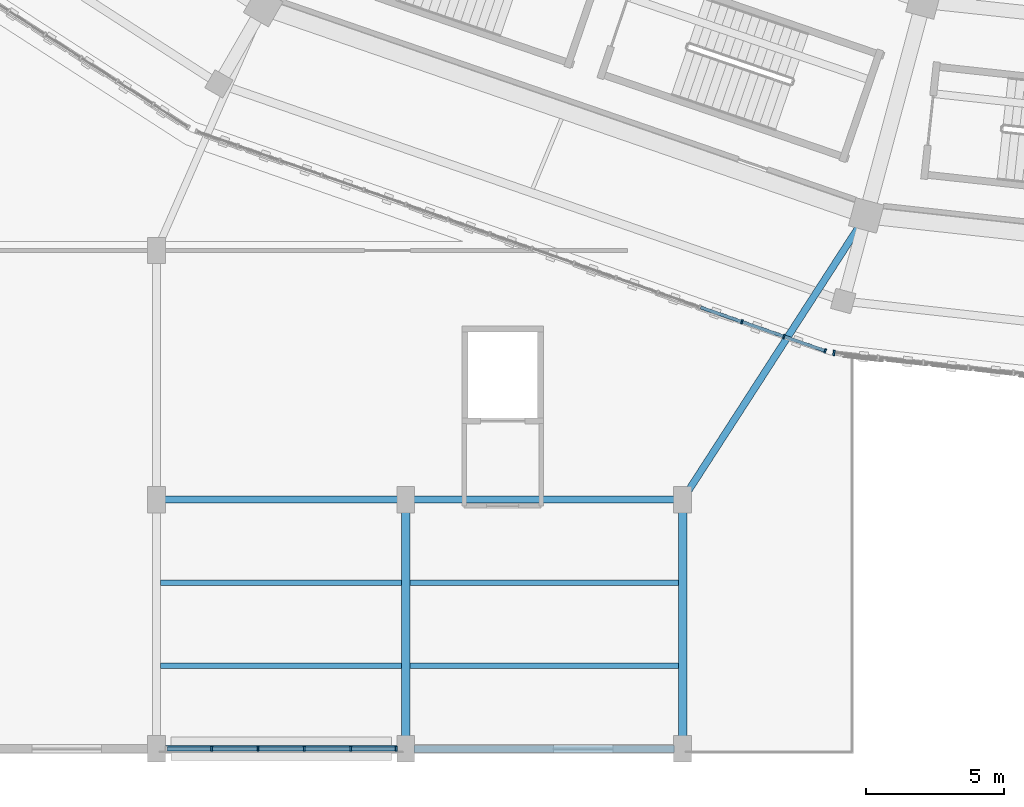
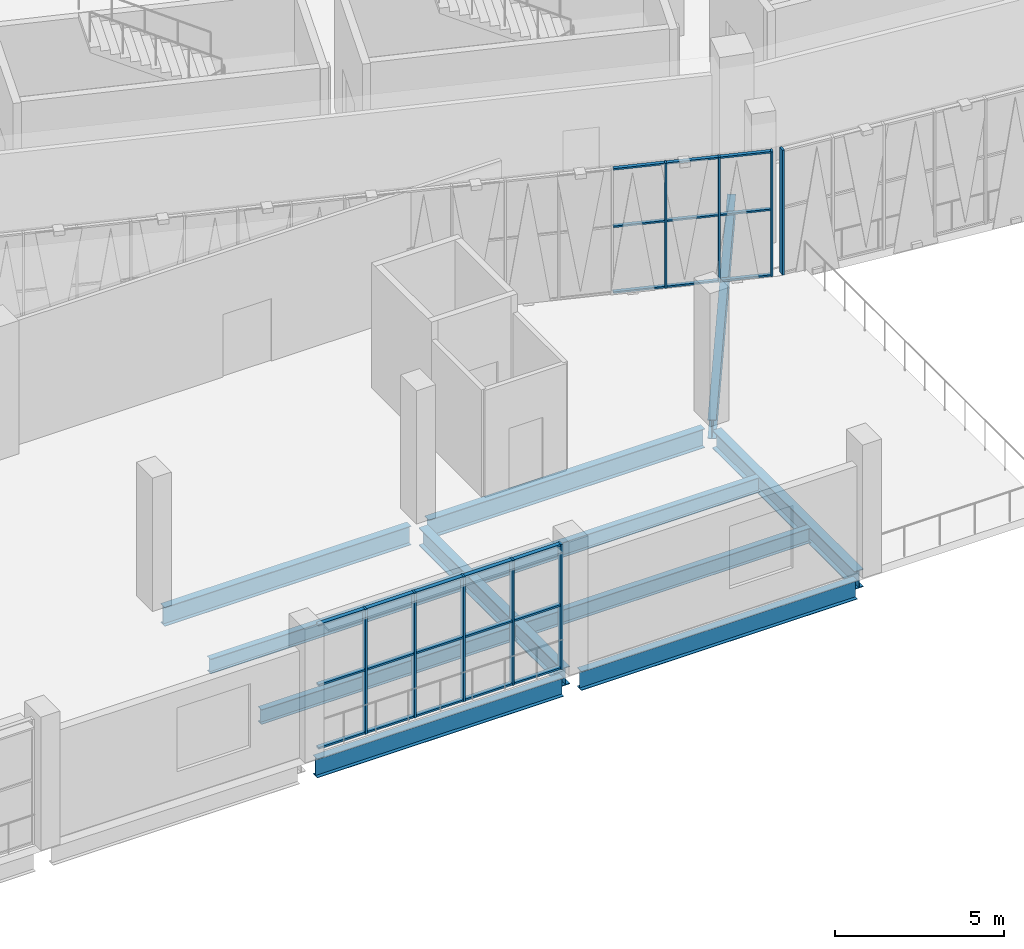
# One storey, part 13 of 179: 33 members, 11 beams, 3 elements without a shape of their own.
"""IFC4 building model written with IfcOpenShell, lengths in metres."""

from ifc_helpers import new_model, si_unit, direction, frame, origin, origin_2d, place, context, subcontext, project, spatial, rectangle, i_section, extrude, material, material_profile, profile_set, type_object, element, aggregate, save


model = new_model("IFC4")

# Units and contexts
model_context = context("Model", 3, precision=1e-05, world=origin(), true_north=direction((0.0, 1.0)))
body_context = subcontext(model_context, "Body", "Model", "MODEL_VIEW")
ifc_project = project(units=[si_unit("LENGTHUNIT", "METRE"), si_unit("AREAUNIT", "SQUARE_METRE"), si_unit("VOLUMEUNIT", "CUBIC_METRE"), si_unit("PLANEANGLEUNIT", "RADIAN"), si_unit("MASSUNIT", "GRAM", prefix="KILO")], contexts=[model_context])

# Site, building, storey
site_placement = place(None, origin())
site = spatial("IfcSite", under=ifc_project, at=site_placement, CompositionType="ELEMENT")
building_placement = place(site_placement, origin())
building = spatial("IfcBuilding", under=site, at=building_placement, Name="Zevraka Park Crest Stadium", CompositionType="ELEMENT")
storey_placement = place(building_placement, frame((0.0, 0.0, 10.199951171875)))
storey = spatial("IfcBuildingStorey", under=building, at=storey_placement, Name="L02", CompositionType="ELEMENT", Elevation=10.199951171875)

# Beams
ifc_material_1 = material(Name="Steel S355", Category="steel")
ifc_material_profile_1 = material_profile(ifc_material_1, i_section(OverallWidth=0.253662109375, OverallDepth=0.68359375, WebThickness=0.012451171875, FlangeThickness=0.01904296875, at=origin_2d()), Name="UKB 686x254x140")
ifc_profile_set_1 = profile_set([ifc_material_profile_1], Name="Steel S355")
beam_type_1 = type_object("IfcBeamType", Name="BG05", PredefinedType="BEAM", material=ifc_profile_set_1)
for number, where, z_axis, x_axis, name in (
    (1, (63.300048828125, 0.0, -0.629638671875), (1.0, 0.0, 0.0), (0.0, 1.0, 0.0), "Wing Girder BG05 L02-89/A"),
    (2, (63.300048828125, 9.0, -0.629638671875), (1.0, 0.0, 0.0), (0.0, 1.0, 0.0), "Wing Girder BG05 L02-89/B"),
):
    element("IfcBeam", number, at=place(storey_placement, frame(where, z_axis=z_axis, x_axis=x_axis)), inside=storey, type_object=beam_type_1, Name=name, PredefinedType="BEAM", context=body_context, shape_type="SweptSolid", body=[
        extrude(i_section(OverallWidth=0.253662109375, OverallDepth=0.68359375, WebThickness=0.012451171875, FlangeThickness=0.01904296875, at=origin_2d()), origin(), (0.0, 0.0, 1.0), 8.39990234375),
    ])
for number, where, z_axis, x_axis, name in (
    (3, (72.300048828125, 0.0, -0.629638671875), (1.0, 0.0, 0.0), (0.0, 1.0, 0.0), "Wing Girder BG05 L02-910/A"),
    (4, (72.300048828125, 9.0, -0.629638671875), (1.0, 0.0, 0.0), (0.0, 1.0, 0.0), "Wing Girder BG05 L02-910/B"),
):
    element("IfcBeam", number, at=place(storey_placement, frame(where, z_axis=z_axis, x_axis=x_axis)), inside=storey, type_object=beam_type_1, Name=name, PredefinedType="BEAM", context=body_context, shape_type="SweptSolid", body=[
        extrude(i_section(OverallWidth=0.253662109375, OverallDepth=0.68359375, WebThickness=0.012451171875, FlangeThickness=0.01904296875, at=origin_2d()), origin(), (0.0, 0.0, 1.0), 9.39990234375),
    ])
beam_placement = place(storey_placement, frame((82.10791015625, 9.16796875, -0.629638671875), z_axis=(0.542497990174, 0.840057099641, 0.0), x_axis=(-0.840057099641, 0.542497990174, 0.0)))
element("IfcBeam", 5, at=beam_placement, inside=storey, type_object=beam_type_1, Name="Wing Link Girder BG05 L02-10/B", PredefinedType="BEAM", context=body_context, shape_type="SweptSolid", body=[
    extrude(i_section(OverallWidth=0.253662109375, OverallDepth=0.68359375, WebThickness=0.012451171875, FlangeThickness=0.01904296875, at=origin_2d()), origin(), (0.0, 0.0, 1.0), 11.640869140625),
])
ifc_material_2 = material(Name="Steel S355", Category="steel")
ifc_material_profile_2 = material_profile(ifc_material_2, i_section(OverallWidth=0.300048828125, OverallDepth=0.64990234375, WebThickness=0.01611328125, FlangeThickness=0.031005859375, at=origin_2d()), Name="HEB 650")
ifc_profile_set_2 = profile_set([ifc_material_profile_2], Name="Steel S355")
beam_type_2 = type_object("IfcBeamType", Name="BG07", PredefinedType="BEAM", material=ifc_profile_set_2)
for number, where, z_axis, x_axis, name in (
    (6, (72.0, 0.300048828125, -0.613037109375), (0.0, 1.0, 0.0), (-1.0, 0.0, 0.0), "Wing Girder BG07 L02-9/AB"),
    (7, (82.0, 0.300048828125, -0.613037109375), (0.0, 1.0, 0.0), (-1.0, 0.0, 0.0), "Wing Girder BG07 L02-10/AB"),
):
    element("IfcBeam", number, at=place(storey_placement, frame(where, z_axis=z_axis, x_axis=x_axis)), inside=storey, type_object=beam_type_2, Name=name, PredefinedType="BEAM", context=body_context, shape_type="SweptSolid", body=[
        extrude(i_section(OverallWidth=0.300048828125, OverallDepth=0.64990234375, WebThickness=0.01611328125, FlangeThickness=0.031005859375, at=origin_2d()), origin(), (0.0, 0.0, 1.0), 8.39990234375),
    ])

# Curtain wall, members
ifc_material_3 = material(Name="Anodised architectural aluminium and laminated safety glass", Category="aluminium")
curtain_wall_type_1 = type_object("IfcCurtainWallType", Name="CW07", PredefinedType="NOTDEFINED", material=ifc_material_3)
curtain_wall_1_placement = place(storey_placement, origin())
curtain_wall_1 = element("IfcCurtainWall", 8, at=curtain_wall_1_placement, inside=storey, type_object=curtain_wall_type_1, Name="Unitised Ring Curtain Wall CW07 L02-16", PredefinedType="NOTDEFINED")
ifc_material_4 = material(Name="Anodised architectural aluminium", Category="aluminium")
ifc_material_profile_3 = material_profile(ifc_material_4, rectangle(XDim=0.159912109375, YDim=0.06005859375, at=origin_2d()), Name="ALU MULLION 160x60")
ifc_profile_set_3 = profile_set([ifc_material_profile_3], Name="Anodised architectural aluminium")
member_type_1 = type_object("IfcMemberType", Name="CM01", PredefinedType="MULLION", material=ifc_profile_set_3)
member_1_placement = place(storey_placement, frame((84.141357421875, 15.4248046875, 0.0), z_axis=(0.0, 0.0, 1.0), x_axis=(0.329618886002, 0.944114076789, 0.0)))
member_1 = element("IfcMember", 9, at=member_1_placement, type_object=member_type_1, Name="CW07 mullion 14", PredefinedType="MULLION", context=body_context, shape_type="SweptSolid", body=[
    extrude(rectangle(XDim=0.159912109375, YDim=0.06005859375, at=origin_2d()), origin(), (0.0, 0.0, 1.0), 4.5),
])
member_2_placement = place(storey_placement, frame((85.6591796875, 14.89501953125, 0.0), z_axis=(0.0, 0.0, 1.0), x_axis=(0.329618886002, 0.944114076789, 0.0)))
member_2 = element("IfcMember", 10, at=member_2_placement, type_object=member_type_1, Name="CW07 mullion 15", PredefinedType="MULLION", context=body_context, shape_type="SweptSolid", body=[
    extrude(rectangle(XDim=0.159912109375, YDim=0.06005859375, at=origin_2d()), origin(), (0.0, 0.0, 1.0), 4.5),
])
member_3_placement = place(storey_placement, frame((87.148681640625, 14.375, 0.0), z_axis=(0.0, 0.0, 1.0), x_axis=(0.329618886002, 0.944114076789, 0.0)))
member_3 = element("IfcMember", 11, at=member_3_placement, type_object=member_type_1, Name="CW07 mullion 16", PredefinedType="MULLION", context=body_context, shape_type="SweptSolid", body=[
    extrude(rectangle(XDim=0.159912109375, YDim=0.06005859375, at=origin_2d()), origin(), (0.0, 0.0, 1.0), 4.5),
])

ifc_material_5 = material(Name="Anodised architectural aluminium and laminated safety glass", Category="aluminium")
curtain_wall_type_2 = type_object("IfcCurtainWallType", Name="CW29", PredefinedType="NOTDEFINED", material=ifc_material_5)
curtain_wall_2_placement = place(storey_placement, origin())
curtain_wall_2 = element("IfcCurtainWall", 12, at=curtain_wall_2_placement, inside=storey, type_object=curtain_wall_type_2, Name="Wing Curtain Wall CW29 L02-SW-S1-2", PredefinedType="NOTDEFINED")
ifc_material_6 = material(Name="Anodised architectural aluminium", Category="aluminium")
ifc_material_profile_4 = material_profile(ifc_material_6, rectangle(XDim=0.179931640625, YDim=0.06494140625, at=origin_2d()), Name="ALU MULLION 180x65")
ifc_profile_set_4 = profile_set([ifc_material_profile_4], Name="Anodised architectural aluminium")
member_type_2 = type_object("IfcMemberType", Name="CM02", PredefinedType="MULLION", material=ifc_profile_set_4)
member_4_placement = place(storey_placement, frame((71.652587890625, 0.0, 0.0), z_axis=(0.0, 0.0, 1.0), x_axis=(0.0, -1.0, 0.0)))
member_4 = element("IfcMember", 13, at=member_4_placement, type_object=member_type_2, Name="CW29 mullion 1", PredefinedType="MULLION", context=body_context, shape_type="SweptSolid", body=[
    extrude(rectangle(XDim=0.179931640625, YDim=0.06494140625, at=origin_2d()), origin(), (0.0, 0.0, 1.0), 4.5),
])
member_5_placement = place(storey_placement, frame((70.010986328125, 0.0, 0.0), z_axis=(0.0, 0.0, 1.0), x_axis=(0.0, -1.0, 0.0)))
member_5 = element("IfcMember", 14, at=member_5_placement, type_object=member_type_2, Name="CW29 mullion 2", PredefinedType="MULLION", context=body_context, shape_type="SweptSolid", body=[
    extrude(rectangle(XDim=0.179931640625, YDim=0.06494140625, at=origin_2d()), origin(), (0.0, 0.0, 1.0), 4.5),
])
member_6_placement = place(storey_placement, frame((68.3369140625, 0.0, 0.0), z_axis=(0.0, 0.0, 1.0), x_axis=(0.0, -1.0, 0.0)))
member_6 = element("IfcMember", 15, at=member_6_placement, type_object=member_type_2, Name="CW29 mullion 3", PredefinedType="MULLION", context=body_context, shape_type="SweptSolid", body=[
    extrude(rectangle(XDim=0.179931640625, YDim=0.06494140625, at=origin_2d()), origin(), (0.0, 0.0, 1.0), 4.5),
])
member_7_placement = place(storey_placement, frame((66.6630859375, 0.0, 0.0), z_axis=(0.0, 0.0, 1.0), x_axis=(0.0, -1.0, 0.0)))
member_7 = element("IfcMember", 16, at=member_7_placement, type_object=member_type_2, Name="CW29 mullion 4", PredefinedType="MULLION", context=body_context, shape_type="SweptSolid", body=[
    extrude(rectangle(XDim=0.179931640625, YDim=0.06494140625, at=origin_2d()), origin(), (0.0, 0.0, 1.0), 4.5),
])
member_8_placement = place(storey_placement, frame((64.989013671875, 0.0, 0.0), z_axis=(0.0, 0.0, 1.0), x_axis=(0.0, -1.0, 0.0)))
member_8 = element("IfcMember", 17, at=member_8_placement, type_object=member_type_2, Name="CW29 mullion 5", PredefinedType="MULLION", context=body_context, shape_type="SweptSolid", body=[
    extrude(rectangle(XDim=0.179931640625, YDim=0.06494140625, at=origin_2d()), origin(), (0.0, 0.0, 1.0), 4.5),
])

# Curtain wall, member
ifc_material_7 = material(Name="Anodised architectural aluminium and laminated safety glass", Category="aluminium")
curtain_wall_type_3 = type_object("IfcCurtainWallType", Name="CW06", PredefinedType="NOTDEFINED", material=ifc_material_7)
curtain_wall_3_placement = place(storey_placement, origin())
curtain_wall_3 = element("IfcCurtainWall", 18, at=curtain_wall_3_placement, inside=storey, type_object=curtain_wall_type_3, Name="Unitised Ring Curtain Wall CW06 L02-17", PredefinedType="NOTDEFINED")
ifc_material_8 = material(Name="Anodised architectural aluminium", Category="aluminium")
ifc_material_profile_5 = material_profile(ifc_material_8, rectangle(XDim=0.199951171875, YDim=0.070068359375, at=origin_2d()), Name="ALU MULLION 200x70")
ifc_profile_set_5 = profile_set([ifc_material_profile_5], Name="Anodised architectural aluminium")
member_type_3 = type_object("IfcMemberType", Name="CM03", PredefinedType="MULLION", material=ifc_profile_set_5)
member_9_placement = place(storey_placement, frame((87.4658203125, 14.30322265625, 0.0), z_axis=(0.0, 0.0, 1.0), x_axis=(0.110293152687, 0.993899099743, 0.0)))
member_9 = element("IfcMember", 19, at=member_9_placement, type_object=member_type_3, Name="CW06 mullion 1", PredefinedType="MULLION", context=body_context, shape_type="SweptSolid", body=[
    extrude(rectangle(XDim=0.199951171875, YDim=0.070068359375, at=origin_2d()), origin(), (0.0, 0.0, 1.0), 4.5),
])
aggregate(curtain_wall_3, [member_9])

# Member
ifc_material_9 = material(Name="Anodised architectural aluminium", Category="aluminium")
ifc_material_profile_6 = material_profile(ifc_material_9, rectangle(XDim=0.1201171875, YDim=0.06005859375, at=origin_2d()), Name="ALU TRANSOM 120x60")
ifc_profile_set_6 = profile_set([ifc_material_profile_6], Name="Anodised architectural aluminium")
member_type_4 = type_object("IfcMemberType", Name="CT01", PredefinedType="USERDEFINED", material=ifc_profile_set_6)
member_10_placement = place(storey_placement, frame((82.651611328125, 15.94482421875, 0.030029296875), z_axis=(0.944157965945, -0.329493149158, 0.0), x_axis=(0.329493149158, 0.944157965945, 0.0)))
member_10 = element("IfcMember", 20, at=member_10_placement, type_object=member_type_4, Name="CW07 transom 13.1", ObjectType="TRANSOM", PredefinedType="USERDEFINED", context=body_context, shape_type="SweptSolid", body=[
    extrude(rectangle(XDim=0.1201171875, YDim=0.06005859375, at=origin_2d()), origin(), (0.0, 0.0, 1.0), 1.5478515625),
])

member_11_placement = place(storey_placement, frame((82.651611328125, 15.94482421875, 2.400146484375), z_axis=(0.944157965945, -0.329493149158, 0.0), x_axis=(0.329493149158, 0.944157965945, 0.0)))
member_11 = element("IfcMember", 21, at=member_11_placement, type_object=member_type_4, Name="CW07 transom 13.2", ObjectType="TRANSOM", PredefinedType="USERDEFINED", context=body_context, shape_type="SweptSolid", body=[
    extrude(rectangle(XDim=0.1201171875, YDim=0.06005859375, at=origin_2d()), origin(), (0.0, 0.0, 1.0), 1.5478515625),
])

member_12_placement = place(storey_placement, frame((82.651611328125, 15.94482421875, 4.469970703125), z_axis=(0.944157965945, -0.329493149158, 0.0), x_axis=(0.329493149158, 0.944157965945, 0.0)))
member_12 = element("IfcMember", 22, at=member_12_placement, type_object=member_type_4, Name="CW07 transom 13.3", ObjectType="TRANSOM", PredefinedType="USERDEFINED", context=body_context, shape_type="SweptSolid", body=[
    extrude(rectangle(XDim=0.1201171875, YDim=0.06005859375, at=origin_2d()), origin(), (0.0, 0.0, 1.0), 1.5478515625),
])

member_13_placement = place(storey_placement, frame((84.169677734375, 15.4150390625, 0.030029296875), z_axis=(0.944091748578, -0.329682832837, 0.0), x_axis=(0.329682832837, 0.944091748578, 0.0)))
member_13 = element("IfcMember", 23, at=member_13_placement, type_object=member_type_4, Name="CW07 transom 14.1", ObjectType="TRANSOM", PredefinedType="USERDEFINED", context=body_context, shape_type="SweptSolid", body=[
    extrude(rectangle(XDim=0.1201171875, YDim=0.06005859375, at=origin_2d()), origin(), (0.0, 0.0, 1.0), 1.547607421875),
])

member_14_placement = place(storey_placement, frame((84.169677734375, 15.4150390625, 2.400146484375), z_axis=(0.944091748578, -0.329682832837, 0.0), x_axis=(0.329682832837, 0.944091748578, 0.0)))
member_14 = element("IfcMember", 24, at=member_14_placement, type_object=member_type_4, Name="CW07 transom 14.2", ObjectType="TRANSOM", PredefinedType="USERDEFINED", context=body_context, shape_type="SweptSolid", body=[
    extrude(rectangle(XDim=0.1201171875, YDim=0.06005859375, at=origin_2d()), origin(), (0.0, 0.0, 1.0), 1.547607421875),
])

member_15_placement = place(storey_placement, frame((84.169677734375, 15.4150390625, 4.469970703125), z_axis=(0.944091748578, -0.329682832837, 0.0), x_axis=(0.329682832837, 0.944091748578, 0.0)))
member_15 = element("IfcMember", 25, at=member_15_placement, type_object=member_type_4, Name="CW07 transom 14.3", ObjectType="TRANSOM", PredefinedType="USERDEFINED", context=body_context, shape_type="SweptSolid", body=[
    extrude(rectangle(XDim=0.1201171875, YDim=0.06005859375, at=origin_2d()), origin(), (0.0, 0.0, 1.0), 1.547607421875),
])

member_16_placement = place(storey_placement, frame((85.6875, 14.885009765625, 0.030029296875), z_axis=(0.944116383241, -0.329612279649, 0.0), x_axis=(0.329612279649, 0.944116383241, 0.0)))
member_16 = element("IfcMember", 26, at=member_16_placement, type_object=member_type_4, Name="CW07 transom 15.1", ObjectType="TRANSOM", PredefinedType="USERDEFINED", context=body_context, shape_type="SweptSolid", body=[
    extrude(rectangle(XDim=0.1201171875, YDim=0.06005859375, at=origin_2d()), origin(), (0.0, 0.0, 1.0), 1.517578125),
])

member_17_placement = place(storey_placement, frame((85.6875, 14.885009765625, 2.400146484375), z_axis=(0.944116383241, -0.329612279649, 0.0), x_axis=(0.329612279649, 0.944116383241, 0.0)))
member_17 = element("IfcMember", 27, at=member_17_placement, type_object=member_type_4, Name="CW07 transom 15.2", ObjectType="TRANSOM", PredefinedType="USERDEFINED", context=body_context, shape_type="SweptSolid", body=[
    extrude(rectangle(XDim=0.1201171875, YDim=0.06005859375, at=origin_2d()), origin(), (0.0, 0.0, 1.0), 1.517578125),
])

member_18_placement = place(storey_placement, frame((85.6875, 14.885009765625, 4.469970703125), z_axis=(0.944116383241, -0.329612279649, 0.0), x_axis=(0.329612279649, 0.944116383241, 0.0)))
member_18 = element("IfcMember", 28, at=member_18_placement, type_object=member_type_4, Name="CW07 transom 15.3", ObjectType="TRANSOM", PredefinedType="USERDEFINED", context=body_context, shape_type="SweptSolid", body=[
    extrude(rectangle(XDim=0.1201171875, YDim=0.06005859375, at=origin_2d()), origin(), (0.0, 0.0, 1.0), 1.517578125),
])

aggregate(curtain_wall_1, [member_1, member_2, member_3, member_10, member_11, member_12, member_13, member_14, member_15, member_16, member_17, member_18])

ifc_material_10 = material(Name="Anodised architectural aluminium", Category="aluminium")
ifc_material_profile_7 = material_profile(ifc_material_10, rectangle(XDim=0.139892578125, YDim=0.06494140625, at=origin_2d()), Name="ALU TRANSOM 140x65")
ifc_profile_set_7 = profile_set([ifc_material_profile_7], Name="Anodised architectural aluminium")
member_type_5 = type_object("IfcMemberType", Name="CT02", PredefinedType="USERDEFINED", material=ifc_profile_set_7)
member_19_placement = place(storey_placement, frame((71.6201171875, 0.0, 0.032470703125), z_axis=(-1.0, 0.0, 0.0), x_axis=(0.0, -1.0, 0.0)))
member_19 = element("IfcMember", 29, at=member_19_placement, type_object=member_type_5, Name="CW29 transom 1.1", ObjectType="TRANSOM", PredefinedType="USERDEFINED", context=body_context, shape_type="SweptSolid", body=[
    extrude(rectangle(XDim=0.139892578125, YDim=0.06494140625, at=origin_2d()), origin(), (0.0, 0.0, 1.0), 1.57666015625),
])

member_20_placement = place(storey_placement, frame((71.6201171875, 0.0, 2.300048828125), z_axis=(-1.0, 0.0, 0.0), x_axis=(0.0, -1.0, 0.0)))
member_20 = element("IfcMember", 30, at=member_20_placement, type_object=member_type_5, Name="CW29 transom 1.2", ObjectType="TRANSOM", PredefinedType="USERDEFINED", context=body_context, shape_type="SweptSolid", body=[
    extrude(rectangle(XDim=0.139892578125, YDim=0.06494140625, at=origin_2d()), origin(), (0.0, 0.0, 1.0), 1.57666015625),
])

member_21_placement = place(storey_placement, frame((71.6201171875, 0.0, 4.467529296875), z_axis=(-1.0, 0.0, 0.0), x_axis=(0.0, -1.0, 0.0)))
member_21 = element("IfcMember", 31, at=member_21_placement, type_object=member_type_5, Name="CW29 transom 1.3", ObjectType="TRANSOM", PredefinedType="USERDEFINED", context=body_context, shape_type="SweptSolid", body=[
    extrude(rectangle(XDim=0.139892578125, YDim=0.06494140625, at=origin_2d()), origin(), (0.0, 0.0, 1.0), 1.57666015625),
])

member_22_placement = place(storey_placement, frame((69.978515625, 0.0, 0.032470703125), z_axis=(-1.0, 0.0, 0.0), x_axis=(0.0, -1.0, 0.0)))
member_22 = element("IfcMember", 32, at=member_22_placement, type_object=member_type_5, Name="CW29 transom 2.1", ObjectType="TRANSOM", PredefinedType="USERDEFINED", context=body_context, shape_type="SweptSolid", body=[
    extrude(rectangle(XDim=0.139892578125, YDim=0.06494140625, at=origin_2d()), origin(), (0.0, 0.0, 1.0), 1.609130859375),
])

member_23_placement = place(storey_placement, frame((69.978515625, 0.0, 2.300048828125), z_axis=(-1.0, 0.0, 0.0), x_axis=(0.0, -1.0, 0.0)))
member_23 = element("IfcMember", 33, at=member_23_placement, type_object=member_type_5, Name="CW29 transom 2.2", ObjectType="TRANSOM", PredefinedType="USERDEFINED", context=body_context, shape_type="SweptSolid", body=[
    extrude(rectangle(XDim=0.139892578125, YDim=0.06494140625, at=origin_2d()), origin(), (0.0, 0.0, 1.0), 1.609130859375),
])

member_24_placement = place(storey_placement, frame((69.978515625, 0.0, 4.467529296875), z_axis=(-1.0, 0.0, 0.0), x_axis=(0.0, -1.0, 0.0)))
member_24 = element("IfcMember", 34, at=member_24_placement, type_object=member_type_5, Name="CW29 transom 2.3", ObjectType="TRANSOM", PredefinedType="USERDEFINED", context=body_context, shape_type="SweptSolid", body=[
    extrude(rectangle(XDim=0.139892578125, YDim=0.06494140625, at=origin_2d()), origin(), (0.0, 0.0, 1.0), 1.609130859375),
])

member_25_placement = place(storey_placement, frame((68.304443359375, 0.0, 0.032470703125), z_axis=(-1.0, 0.0, 0.0), x_axis=(0.0, -1.0, 0.0)))
member_25 = element("IfcMember", 35, at=member_25_placement, type_object=member_type_5, Name="CW29 transom 3.1", ObjectType="TRANSOM", PredefinedType="USERDEFINED", context=body_context, shape_type="SweptSolid", body=[
    extrude(rectangle(XDim=0.139892578125, YDim=0.06494140625, at=origin_2d()), origin(), (0.0, 0.0, 1.0), 1.60888671875),
])

member_26_placement = place(storey_placement, frame((68.304443359375, 0.0, 2.300048828125), z_axis=(-1.0, 0.0, 0.0), x_axis=(0.0, -1.0, 0.0)))
member_26 = element("IfcMember", 36, at=member_26_placement, type_object=member_type_5, Name="CW29 transom 3.2", ObjectType="TRANSOM", PredefinedType="USERDEFINED", context=body_context, shape_type="SweptSolid", body=[
    extrude(rectangle(XDim=0.139892578125, YDim=0.06494140625, at=origin_2d()), origin(), (0.0, 0.0, 1.0), 1.60888671875),
])

member_27_placement = place(storey_placement, frame((68.304443359375, 0.0, 4.467529296875), z_axis=(-1.0, 0.0, 0.0), x_axis=(0.0, -1.0, 0.0)))
member_27 = element("IfcMember", 37, at=member_27_placement, type_object=member_type_5, Name="CW29 transom 3.3", ObjectType="TRANSOM", PredefinedType="USERDEFINED", context=body_context, shape_type="SweptSolid", body=[
    extrude(rectangle(XDim=0.139892578125, YDim=0.06494140625, at=origin_2d()), origin(), (0.0, 0.0, 1.0), 1.60888671875),
])

member_28_placement = place(storey_placement, frame((66.630615234375, 0.0, 0.032470703125), z_axis=(-1.0, 0.0, 0.0), x_axis=(0.0, -1.0, 0.0)))
member_28 = element("IfcMember", 38, at=member_28_placement, type_object=member_type_5, Name="CW29 transom 4.1", ObjectType="TRANSOM", PredefinedType="USERDEFINED", context=body_context, shape_type="SweptSolid", body=[
    extrude(rectangle(XDim=0.139892578125, YDim=0.06494140625, at=origin_2d()), origin(), (0.0, 0.0, 1.0), 1.609130859375),
])

member_29_placement = place(storey_placement, frame((66.630615234375, 0.0, 2.300048828125), z_axis=(-1.0, 0.0, 0.0), x_axis=(0.0, -1.0, 0.0)))
member_29 = element("IfcMember", 39, at=member_29_placement, type_object=member_type_5, Name="CW29 transom 4.2", ObjectType="TRANSOM", PredefinedType="USERDEFINED", context=body_context, shape_type="SweptSolid", body=[
    extrude(rectangle(XDim=0.139892578125, YDim=0.06494140625, at=origin_2d()), origin(), (0.0, 0.0, 1.0), 1.609130859375),
])

member_30_placement = place(storey_placement, frame((66.630615234375, 0.0, 4.467529296875), z_axis=(-1.0, 0.0, 0.0), x_axis=(0.0, -1.0, 0.0)))
member_30 = element("IfcMember", 40, at=member_30_placement, type_object=member_type_5, Name="CW29 transom 4.3", ObjectType="TRANSOM", PredefinedType="USERDEFINED", context=body_context, shape_type="SweptSolid", body=[
    extrude(rectangle(XDim=0.139892578125, YDim=0.06494140625, at=origin_2d()), origin(), (0.0, 0.0, 1.0), 1.609130859375),
])

member_31_placement = place(storey_placement, frame((64.95654296875, 0.0, 0.032470703125), z_axis=(-1.0, 0.0, 0.0), x_axis=(0.0, -1.0, 0.0)))
member_31 = element("IfcMember", 41, at=member_31_placement, type_object=member_type_5, Name="CW29 transom 5.1", ObjectType="TRANSOM", PredefinedType="USERDEFINED", context=body_context, shape_type="SweptSolid", body=[
    extrude(rectangle(XDim=0.139892578125, YDim=0.06494140625, at=origin_2d()), origin(), (0.0, 0.0, 1.0), 1.57666015625),
])

member_32_placement = place(storey_placement, frame((64.95654296875, 0.0, 2.300048828125), z_axis=(-1.0, 0.0, 0.0), x_axis=(0.0, -1.0, 0.0)))
member_32 = element("IfcMember", 42, at=member_32_placement, type_object=member_type_5, Name="CW29 transom 5.2", ObjectType="TRANSOM", PredefinedType="USERDEFINED", context=body_context, shape_type="SweptSolid", body=[
    extrude(rectangle(XDim=0.139892578125, YDim=0.06494140625, at=origin_2d()), origin(), (0.0, 0.0, 1.0), 1.57666015625),
])

member_33_placement = place(storey_placement, frame((64.95654296875, 0.0, 4.467529296875), z_axis=(-1.0, 0.0, 0.0), x_axis=(0.0, -1.0, 0.0)))
member_33 = element("IfcMember", 43, at=member_33_placement, type_object=member_type_5, Name="CW29 transom 5.3", ObjectType="TRANSOM", PredefinedType="USERDEFINED", context=body_context, shape_type="SweptSolid", body=[
    extrude(rectangle(XDim=0.139892578125, YDim=0.06494140625, at=origin_2d()), origin(), (0.0, 0.0, 1.0), 1.57666015625),
])

aggregate(curtain_wall_2, [member_4, member_5, member_6, member_7, member_8, member_19, member_20, member_21, member_22, member_23, member_24, member_25, member_26, member_27, member_28, member_29, member_30, member_31, member_32, member_33])

# Beams
ifc_material_11 = material(Name="Steel S355", Category="steel")
ifc_material_profile_8 = material_profile(ifc_material_11, i_section(OverallWidth=0.209228515625, OverallDepth=0.533203125, WebThickness=0.010009765625, FlangeThickness=0.015625, at=origin_2d()), Name="UKB 533x210x92")
ifc_profile_set_8 = profile_set([ifc_material_profile_8], Name="Steel S355")
beam_type_3 = type_object("IfcBeamType", Name="SJ05", PredefinedType="JOIST", material=ifc_profile_set_8)
for number, where, z_axis, x_axis, name in (
    (44, (63.14501953125, 3.0, -0.556396484375), (1.0, 0.0, 0.0), (0.0, 1.0, 0.0), "Wing Joist SJ05 L02-8/A-1"),
    (45, (63.14501953125, 6.0, -0.556396484375), (1.0, 0.0, 0.0), (0.0, 1.0, 0.0), "Wing Joist SJ05 L02-8/A-2"),
):
    element("IfcBeam", number, at=place(storey_placement, frame(where, z_axis=z_axis, x_axis=x_axis)), inside=storey, type_object=beam_type_3, Name=name, PredefinedType="JOIST", context=body_context, shape_type="SweptSolid", body=[
        extrude(i_section(OverallWidth=0.209228515625, OverallDepth=0.533203125, WebThickness=0.010009765625, FlangeThickness=0.015625, at=origin_2d()), origin(), (0.0, 0.0, 1.0), 8.7099609375),
    ])
for number, where, z_axis, x_axis, name in (
    (46, (72.14501953125, 3.0, -0.556396484375), (1.0, 0.0, 0.0), (0.0, 1.0, 0.0), "Wing Joist SJ05 L02-9/A-1"),
    (47, (72.14501953125, 6.0, -0.556396484375), (1.0, 0.0, 0.0), (0.0, 1.0, 0.0), "Wing Joist SJ05 L02-9/A-2"),
):
    element("IfcBeam", number, at=place(storey_placement, frame(where, z_axis=z_axis, x_axis=x_axis)), inside=storey, type_object=beam_type_3, Name=name, PredefinedType="JOIST", context=body_context, shape_type="SweptSolid", body=[
        extrude(i_section(OverallWidth=0.209228515625, OverallDepth=0.533203125, WebThickness=0.010009765625, FlangeThickness=0.015625, at=origin_2d()), origin(), (0.0, 0.0, 1.0), 9.7099609375),
    ])

save(model, "model.ifc")
